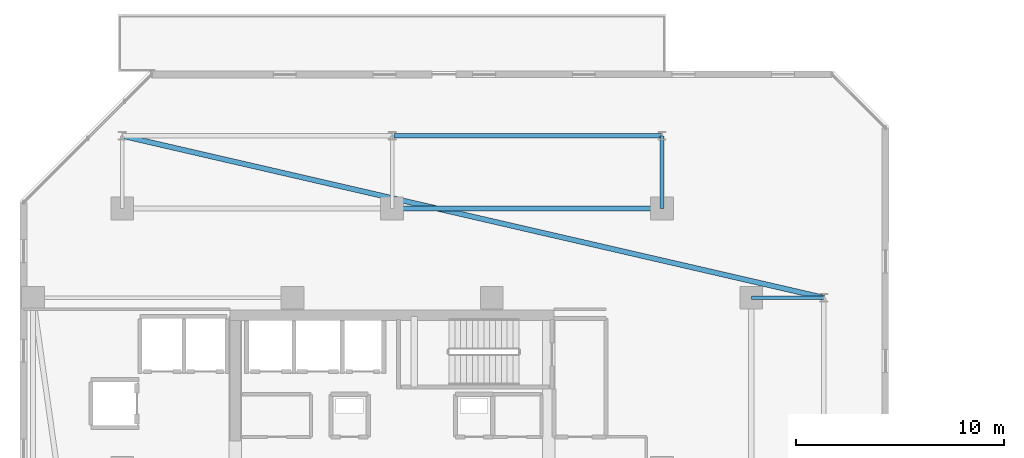
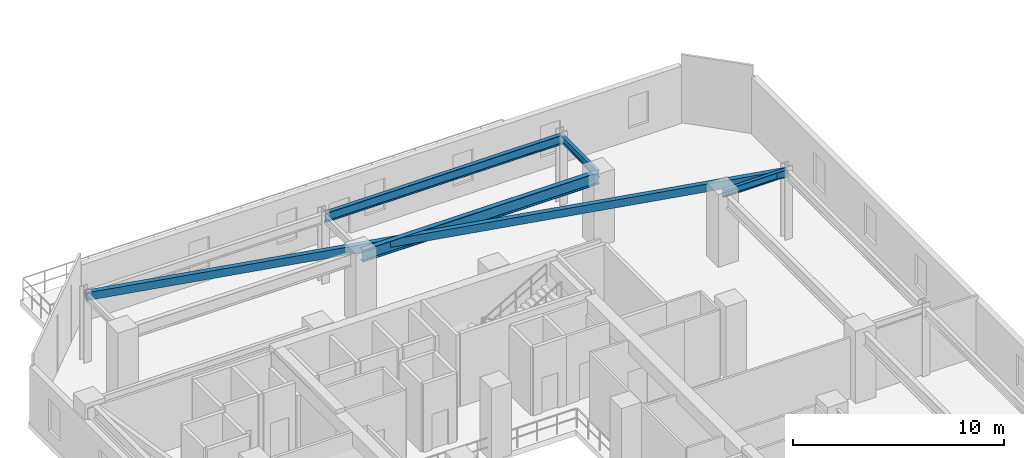
# One storey, part 9 of 33: 5 beams.
"""IFC4 building model written with IfcOpenShell, lengths in metres."""

from ifc_helpers import new_model, si_unit, direction, frame, origin, origin_2d, place, context, subcontext, project, spatial, hollow_rectangle, i_section, extrude, material, material_profile, profile_set, type_object, element, save


model = new_model("IFC4")

# Units and contexts
model_context = context("Model", 3, precision=1e-05, world=origin(), true_north=direction((0.0, 1.0)))
body_context = subcontext(model_context, "Body", "Model", "MODEL_VIEW")
ifc_project = project(units=[si_unit("LENGTHUNIT", "METRE"), si_unit("AREAUNIT", "SQUARE_METRE"), si_unit("VOLUMEUNIT", "CUBIC_METRE"), si_unit("PLANEANGLEUNIT", "RADIAN"), si_unit("MASSUNIT", "GRAM", prefix="KILO")], contexts=[model_context])

# Site, building, storey
site_placement = place(None, origin())
site = spatial("IfcSite", under=ifc_project, at=site_placement, CompositionType="ELEMENT")
building_placement = place(site_placement, origin())
building = spatial("IfcBuilding", under=site, at=building_placement, Name="Thornwick Lancets Civic Towers", CompositionType="ELEMENT")
storey_placement = place(building_placement, frame((0.0, 0.0, 174.300048828125)))
storey = spatial("IfcBuildingStorey", under=building, at=storey_placement, Name="L46", CompositionType="ELEMENT", Elevation=174.300048828125)

# Beams
ifc_material = material(Name="Steel S355JR", Category="steel")
ifc_material_profile_1 = material_profile(ifc_material, i_section(OverallWidth=0.210693359375, OverallDepth=0.53955078125, WebThickness=0.01171875, FlangeThickness=0.018798828125, FilletRadius=0.0126953125, at=origin_2d()), Name="UKB 533x210x109")
ifc_profile_set_1 = profile_set([ifc_material_profile_1], Name="Steel S355JR")
beam_type_1 = type_object("IfcBeamType", Name="BM_EDGE_533_109", PredefinedType="SPANDREL", material=ifc_profile_set_1)
beam_1_placement = place(storey_placement, frame((25.580078125, 47.800048828125, 3.690185546875), z_axis=(1.0, 0.0, 0.0), x_axis=(0.0, 1.0, 0.0)))
element("IfcBeam", 1, at=beam_1_placement, inside=storey, type_object=beam_type_1, Name="BM-EDGE-L46-A-S2-2", PredefinedType="SPANDREL", context=body_context, shape_type="SweptSolid", body=[
    extrude(i_section(OverallWidth=0.210693359375, OverallDepth=0.53955078125, WebThickness=0.01171875, FlangeThickness=0.018798828125, FilletRadius=0.0126953125, at=origin_2d()), origin(), (0.0, 0.0, 1.0), 12.919921875),
])
ifc_material_profile_2 = material_profile(ifc_material, i_section(OverallWidth=0.255859375, OverallDepth=0.69287109375, WebThickness=0.014404296875, FlangeThickness=0.023681640625, FilletRadius=0.01513671875, at=origin_2d()), Name="UKB 686x254x170")
ifc_profile_set_2 = profile_set([ifc_material_profile_2], Name="Steel S355JR")
beam_type_2 = type_object("IfcBeamType", Name="BM_GIRD_686_170", PredefinedType="BEAM", material=ifc_profile_set_2)
beam_2_placement = place(storey_placement, frame((25.580078125, 44.300048828125, 3.613525390625), z_axis=(1.0, 0.0, 0.0), x_axis=(0.0, 1.0, 0.0)))
element("IfcBeam", 2, at=beam_2_placement, inside=storey, type_object=beam_type_2, Name="BM-SPINE-L46-A-7-8", PredefinedType="BEAM", context=body_context, shape_type="SweptSolid", body=[
    extrude(i_section(OverallWidth=0.255859375, OverallDepth=0.69287109375, WebThickness=0.014404296875, FlangeThickness=0.023681640625, FilletRadius=0.01513671875, at=origin_2d()), origin(), (0.0, 0.0, 1.0), 12.919921875),
])
ifc_material_profile_3 = material_profile(ifc_material, i_section(OverallWidth=0.179443359375, OverallDepth=0.412841796875, WebThickness=0.009521484375, FlangeThickness=0.01611328125, FilletRadius=0.01025390625, at=origin_2d()), Name="UKB 406x178x74")
ifc_profile_set_3 = profile_set([ifc_material_profile_3], Name="Steel S355JR")
beam_type_3 = type_object("IfcBeamType", Name="BM_JOIST_406_74", PredefinedType="JOIST", material=ifc_profile_set_3)
for number, where, z_axis, x_axis, name in (
    (3, (42.800048828125, 40.0, 3.753662109375), (1.0, 0.0, 0.0), (0.0, 1.0, 0.0), "BM-RAD-L46-A06"),
    (4, (38.5, 44.300048828125, 3.753662109375), (0.0, 1.0, 0.0), (-1.0, 0.0, 0.0), "BM-RAD-L46-A09"),
):
    element("IfcBeam", number, at=place(storey_placement, frame(where, z_axis=z_axis, x_axis=x_axis)), inside=storey, type_object=beam_type_3, Name=name, PredefinedType="JOIST", context=body_context, shape_type="SweptSolid", body=[
        extrude(i_section(OverallWidth=0.179443359375, OverallDepth=0.412841796875, WebThickness=0.009521484375, FlangeThickness=0.01611328125, FilletRadius=0.01025390625, at=origin_2d()), origin(), (0.0, 0.0, 1.0), 3.5),
    ])
ifc_material_profile_4 = material_profile(ifc_material, hollow_rectangle(XDim=0.25, YDim=0.449951171875, WallThickness=0.01611328125, at=origin_2d()), Name="RHS 450x250x16")
ifc_profile_set_4 = profile_set([ifc_material_profile_4], Name="Steel S355JR")
beam_type_4 = type_object("IfcBeamType", Name="BM_RING_RHS450", PredefinedType="BEAM", material=ifc_profile_set_4)
beam_3_placement = place(storey_placement, frame((46.300048828125, 40.0, 3.73486328125), z_axis=(-0.974390958454, 0.224860534737, 0.0), x_axis=(-0.224860534737, -0.974390958454, 0.0)))
element("IfcBeam", 5, at=beam_3_placement, inside=storey, type_object=beam_type_4, Name="BM-CHAMF-L46-A-C1", PredefinedType="BEAM", context=body_context, shape_type="SweptSolid", body=[
    extrude(hollow_rectangle(XDim=0.25, YDim=0.449951171875, WallThickness=0.01611328125, at=origin_2d()), origin(), (0.0, 0.0, 1.0), 34.6884765625),
])

save(model, "model.ifc")
